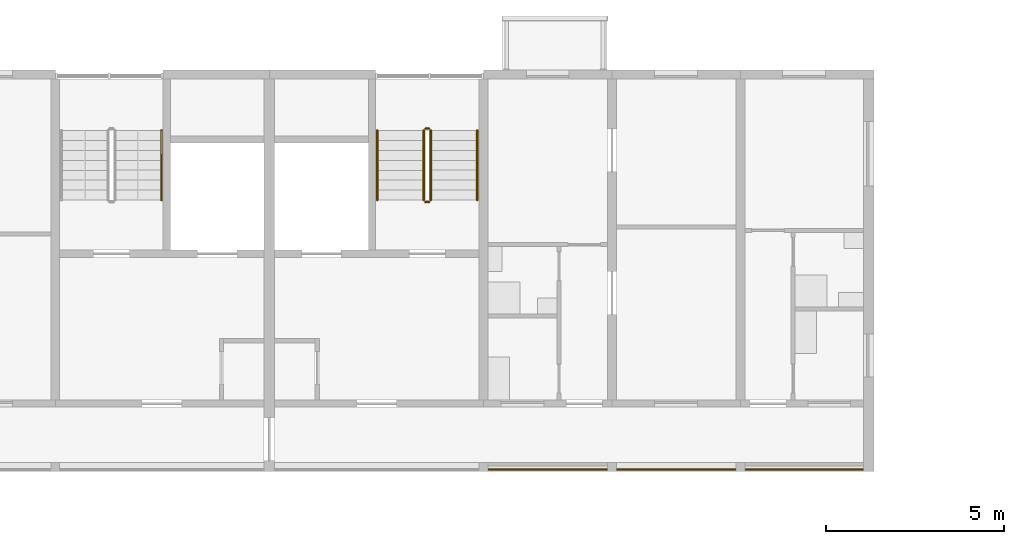
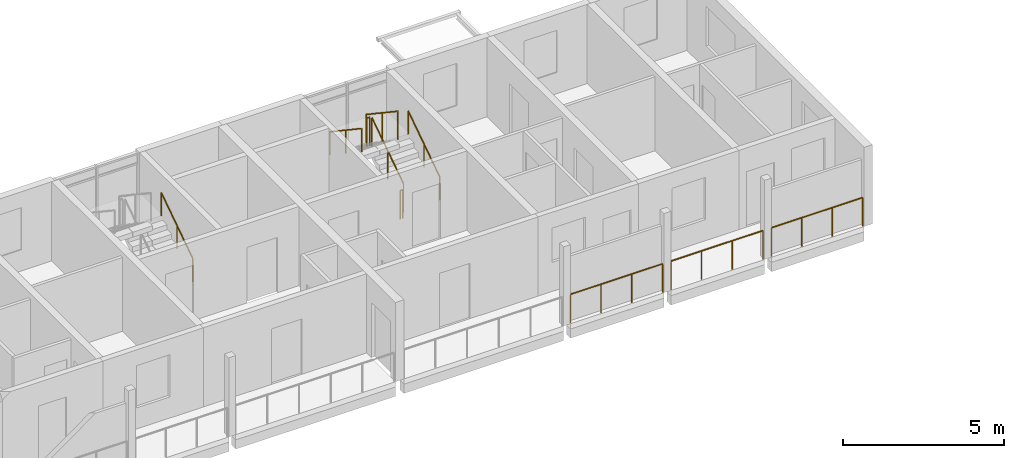
# One storey, part 80 of 100: 10 railings.
"""IFC4 building model written with IfcOpenShell, lengths in metres."""

from ifc_helpers import new_model, si_unit, direction, frame, origin, origin_2d, place, context, subcontext, project, spatial, circle, extrude, material, type_object, element, save


model = new_model("IFC4")

# Units and contexts
model_context = context("Model", 3, precision=1e-05, world=origin(), true_north=direction((0.0, 1.0)))
body_context = subcontext(model_context, "Body", "Model", "MODEL_VIEW")
ifc_project = project(units=[si_unit("LENGTHUNIT", "METRE"), si_unit("AREAUNIT", "SQUARE_METRE"), si_unit("VOLUMEUNIT", "CUBIC_METRE"), si_unit("PLANEANGLEUNIT", "RADIAN"), si_unit("MASSUNIT", "GRAM", prefix="KILO")], contexts=[model_context])

# Site, building, storey
site_placement = place(None, origin())
site = spatial("IfcSite", under=ifc_project, at=site_placement, CompositionType="ELEMENT")
building_placement = place(site_placement, origin())
building = spatial("IfcBuilding", under=site, at=building_placement, Name="Ridgestep Commons", CompositionType="ELEMENT")
storey_placement = place(building_placement, frame((0.0, 0.0, 9.0)))
storey = spatial("IfcBuildingStorey", under=building, at=storey_placement, Name="L03", CompositionType="ELEMENT", Elevation=9.0)

# Railings
ifc_material_1 = material(Name="Structural steel S355JR", Category="steel")
railing_type_1 = type_object("IfcRailingType", Name="Guard 1100", PredefinedType="GUARDRAIL", material=ifc_material_1)
railing_1_placement = place(storey_placement, frame((102.14599609375, 11.800048828125, 0.0)))
element("IfcRailing", 1, at=railing_1_placement, inside=storey, type_object=railing_type_1, Name="Gallery guard A 03.22", PredefinedType="GUARDRAIL", context=body_context, shape_type="SweptSolid", body=[
    extrude(circle(Radius=0.02392578125, at=origin_2d()), frame((0.0, 0.0, 1.076171875), z_axis=(1.0, 0.0, 0.0), x_axis=(0.0, 1.0, 0.0)), (0.0, 0.0, 1.0), 3.30810546875),
    extrude(circle(Radius=0.02099609375, at=origin_2d()), origin(), (0.0, 0.0, 1.0), 1.052001953125),
    extrude(circle(Radius=0.02099609375, at=origin_2d()), frame((1.102783203125, 0.0, 0.0)), (0.0, 0.0, 1.0), 1.052001953125),
    extrude(circle(Radius=0.02099609375, at=origin_2d()), frame((2.205322265625, 0.0, 0.0)), (0.0, 0.0, 1.0), 1.052001953125),
    extrude(circle(Radius=0.02099609375, at=origin_2d()), frame((3.30810546875, 0.0, 0.0)), (0.0, 0.0, 1.0), 1.052001953125),
])
railing_2_placement = place(storey_placement, frame((105.74609375, 11.800048828125, 0.0)))
element("IfcRailing", 2, at=railing_2_placement, inside=storey, type_object=railing_type_1, Name="Gallery guard A 03.23", PredefinedType="GUARDRAIL", context=body_context, shape_type="SweptSolid", body=[
    extrude(circle(Radius=0.02392578125, at=origin_2d()), frame((0.0, 0.0, 1.076171875), z_axis=(1.0, 0.0, 0.0), x_axis=(0.0, 1.0, 0.0)), (0.0, 0.0, 1.0), 3.307861328125),
    extrude(circle(Radius=0.02099609375, at=origin_2d()), origin(), (0.0, 0.0, 1.0), 1.052001953125),
    extrude(circle(Radius=0.02099609375, at=origin_2d()), frame((1.1025390625, 0.0, 0.0)), (0.0, 0.0, 1.0), 1.052001953125),
    extrude(circle(Radius=0.02099609375, at=origin_2d()), frame((2.205322265625, 0.0, 0.0)), (0.0, 0.0, 1.0), 1.052001953125),
    extrude(circle(Radius=0.02099609375, at=origin_2d()), frame((3.307861328125, 0.0, 0.0)), (0.0, 0.0, 1.0), 1.052001953125),
])
railing_3_placement = place(storey_placement, frame((109.345947265625, 11.800048828125, 0.0)))
element("IfcRailing", 3, at=railing_3_placement, inside=storey, type_object=railing_type_1, Name="Gallery guard A 03.24", PredefinedType="GUARDRAIL", context=body_context, shape_type="SweptSolid", body=[
    extrude(circle(Radius=0.02392578125, at=origin_2d()), frame((0.0, 0.0, 1.076171875), z_axis=(1.0, 0.0, 0.0), x_axis=(0.0, 1.0, 0.0)), (0.0, 0.0, 1.0), 3.282958984375),
    extrude(circle(Radius=0.02099609375, at=origin_2d()), origin(), (0.0, 0.0, 1.0), 1.052001953125),
    extrude(circle(Radius=0.02099609375, at=origin_2d()), frame((1.09423828125, 0.0, 0.0)), (0.0, 0.0, 1.0), 1.052001953125),
    extrude(circle(Radius=0.02099609375, at=origin_2d()), frame((2.188720703125, 0.0, 0.0)), (0.0, 0.0, 1.0), 1.052001953125),
    extrude(circle(Radius=0.02099609375, at=origin_2d()), frame((3.282958984375, 0.0, 0.0)), (0.0, 0.0, 1.0), 1.052001953125),
])
ifc_material_2 = material(Name="Structural steel S355JR", Category="steel")
railing_type_2 = type_object("IfcRailingType", Name="Stair guard 1100", PredefinedType="GUARDRAIL", material=ifc_material_2)
railing_4_placement = place(storey_placement, frame((100.52490234375, 19.35009765625, 0.1875)))
element("IfcRailing", 4, at=railing_4_placement, inside=storey, type_object=railing_type_2, Name="L03 A6C stair guard 1", PredefinedType="GUARDRAIL", context=body_context, shape_type="SweptSolid", body=[
    extrude(circle(Radius=0.02392578125, at=origin_2d()), frame((0.0, 0.0, 1.076171875), z_axis=(0.0, 0.830902050051, 0.556418712142), x_axis=(-1.0, 0.0, 0.0)), (0.0, 0.0, 1.0), 2.35888671875),
    extrude(circle(Radius=0.02099609375, at=origin_2d()), origin(), (0.0, 0.0, 1.0), 1.052001953125),
    extrude(circle(Radius=0.02099609375, at=origin_2d()), frame((0.0, 0.97998046875, 0.65625)), (0.0, 0.0, 1.0), 1.052001953125),
    extrude(circle(Radius=0.02099609375, at=origin_2d()), frame((0.0, 1.9599609375, 1.3125)), (0.0, 0.0, 1.0), 1.052001953125),
])
railing_5_placement = place(storey_placement, frame((100.47509765625, 21.360107421875, 1.5)))
element("IfcRailing", 5, at=railing_5_placement, inside=storey, type_object=railing_type_2, Name="L03 A6C stair guard 2", PredefinedType="GUARDRAIL", context=body_context, shape_type="SweptSolid", body=[
    extrude(circle(Radius=0.02392578125, at=origin_2d()), frame((0.0, 0.0, 1.076171875), z_axis=(-1.0, 0.0, 0.0), x_axis=(0.0, -1.0, 0.0)), (0.0, 0.0, 1.0), 0.10009765625),
    extrude(circle(Radius=0.02099609375, at=origin_2d()), origin(), (0.0, 0.0, 1.0), 1.052001953125),
    extrude(circle(Radius=0.02099609375, at=origin_2d()), frame((-0.10009765625, 0.0, 0.0)), (0.0, 0.0, 1.0), 1.052001953125),
])
railing_6_placement = place(storey_placement, frame((100.324951171875, 21.31005859375, 1.6875)))
element("IfcRailing", 6, at=railing_6_placement, inside=storey, type_object=railing_type_2, Name="L03 A6C stair guard 3", PredefinedType="GUARDRAIL", context=body_context, shape_type="SweptSolid", body=[
    extrude(circle(Radius=0.02392578125, at=origin_2d()), frame((0.0, 0.0, 1.076171875), z_axis=(0.0, -0.830902050051, 0.556418712142), x_axis=(1.0, 0.0, 0.0)), (0.0, 0.0, 1.0), 2.35888671875),
    extrude(circle(Radius=0.02099609375, at=origin_2d()), origin(), (0.0, 0.0, 1.0), 1.052001953125),
    extrude(circle(Radius=0.02099609375, at=origin_2d()), frame((0.0, -0.97998046875, 0.65625)), (0.0, 0.0, 1.0), 1.052001953125),
    extrude(circle(Radius=0.02099609375, at=origin_2d()), frame((0.0, -1.9599609375, 1.3125)), (0.0, 0.0, 1.0), 1.052001953125),
])
railing_7_placement = place(storey_placement, frame((100.47509765625, 19.300048828125, 0.0)))
element("IfcRailing", 7, at=railing_7_placement, inside=storey, type_object=railing_type_2, Name="L03 A6C stair guard 4", PredefinedType="GUARDRAIL", context=body_context, shape_type="SweptSolid", body=[
    extrude(circle(Radius=0.02392578125, at=origin_2d()), frame((0.0, 0.0, 1.076171875), z_axis=(-1.0, 0.0, 0.0), x_axis=(0.0, -1.0, 0.0)), (0.0, 0.0, 1.0), 0.10009765625),
    extrude(circle(Radius=0.02099609375, at=origin_2d()), origin(), (0.0, 0.0, 1.0), 1.052001953125),
    extrude(circle(Radius=0.02099609375, at=origin_2d()), frame((-0.10009765625, 0.0, 0.0)), (0.0, 0.0, 1.0), 1.052001953125),
])
ifc_material_3 = material(Name="Structural steel S355JR", Category="steel")
railing_type_3 = type_object("IfcRailingType", Name="Stair handrail 900", PredefinedType="HANDRAIL", material=ifc_material_3)
for number, where, name in (
    (8, (92.97509765625, 19.35009765625, 0.1875), "L03 A5C stair handrail 1"),
    (9, (101.824951171875, 19.35009765625, 0.1875), "L03 A6C stair handrail 1"),
):
    element("IfcRailing", number, at=place(storey_placement, frame(where)), inside=storey, type_object=railing_type_3, Name=name, PredefinedType="HANDRAIL", context=body_context, shape_type="SweptSolid", body=[
        extrude(circle(Radius=0.02392578125, at=origin_2d()), frame((0.0, 0.0, 0.8759765625), z_axis=(0.0, 0.830902050051, 0.556418712142), x_axis=(-1.0, 0.0, 0.0)), (0.0, 0.0, 1.0), 2.35888671875),
        extrude(circle(Radius=0.02099609375, at=origin_2d()), origin(), (0.0, 0.0, 1.0), 0.851806640625),
        extrude(circle(Radius=0.02099609375, at=origin_2d()), frame((0.0, 0.97998046875, 0.65625)), (0.0, 0.0, 1.0), 0.851806640625),
        extrude(circle(Radius=0.02099609375, at=origin_2d()), frame((0.0, 1.9599609375, 1.3125)), (0.0, 0.0, 1.0), 0.851806640625),
    ])
railing_8_placement = place(storey_placement, frame((99.02490234375, 21.31005859375, 1.6875)))
element("IfcRailing", 10, at=railing_8_placement, inside=storey, type_object=railing_type_3, Name="L03 A6C stair handrail 2", PredefinedType="HANDRAIL", context=body_context, shape_type="SweptSolid", body=[
    extrude(circle(Radius=0.02392578125, at=origin_2d()), frame((0.0, 0.0, 0.8759765625), z_axis=(0.0, -0.830902050051, 0.556418712142), x_axis=(1.0, 0.0, 0.0)), (0.0, 0.0, 1.0), 2.35888671875),
    extrude(circle(Radius=0.02099609375, at=origin_2d()), origin(), (0.0, 0.0, 1.0), 0.851806640625),
    extrude(circle(Radius=0.02099609375, at=origin_2d()), frame((0.0, -0.97998046875, 0.65625)), (0.0, 0.0, 1.0), 0.851806640625),
    extrude(circle(Radius=0.02099609375, at=origin_2d()), frame((0.0, -1.9599609375, 1.3125)), (0.0, 0.0, 1.0), 0.851806640625),
])

save(model, "model.ifc")
